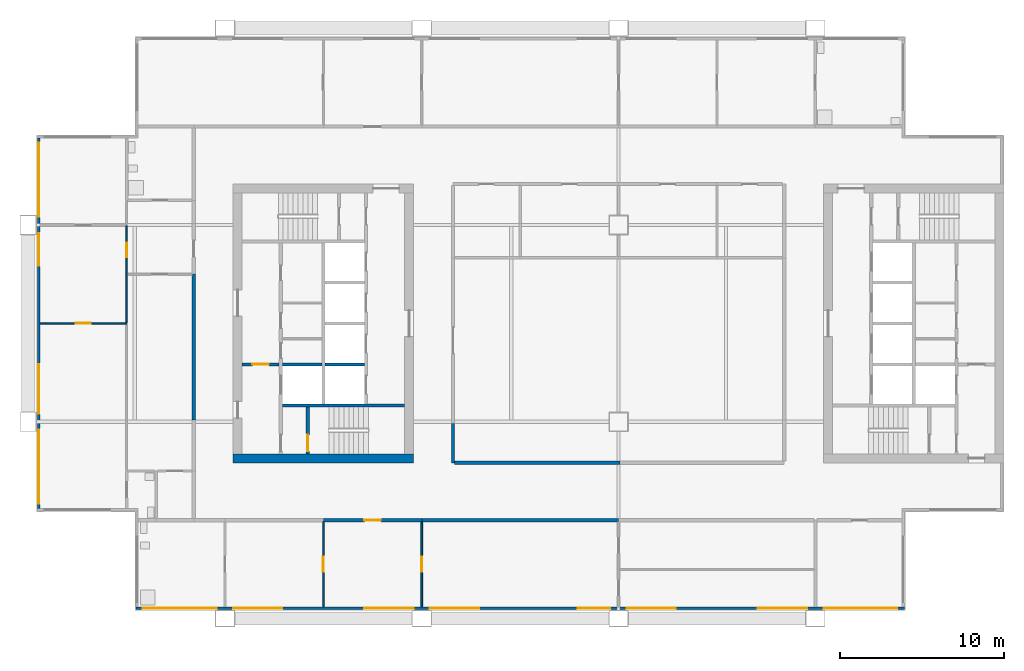
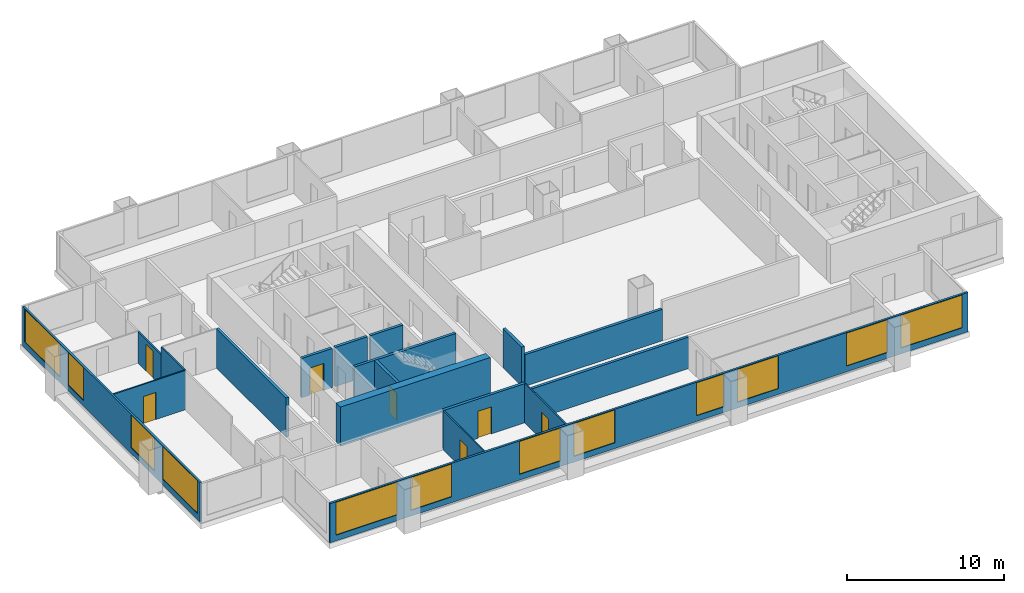
# One storey, part 2 of 8: 18 walls, 12 windows, 7 doors, 19 openings.
"""IFC4 building model written with IfcOpenShell, lengths in metres."""

from ifc_helpers import new_model, si_unit, direction, frame, frame_2d, origin, place, context, subcontext, project, spatial, rectangle, extrude, material, layer, layer_set, type_object, element, fill, save


model = new_model("IFC4")

# Units and contexts
model_context = context("Model", 3, precision=1e-05, world=origin(), true_north=direction((0.0, 1.0)))
body_context = subcontext(model_context, "Body", "Model", "MODEL_VIEW")
ifc_project = project(units=[si_unit("LENGTHUNIT", "METRE"), si_unit("AREAUNIT", "SQUARE_METRE"), si_unit("VOLUMEUNIT", "CUBIC_METRE"), si_unit("PLANEANGLEUNIT", "RADIAN"), si_unit("MASSUNIT", "GRAM", prefix="KILO")], contexts=[model_context])

# Site, building, storey
site_placement = place(None, origin())
site = spatial("IfcSite", under=ifc_project, at=site_placement, CompositionType="ELEMENT")
building_placement = place(site_placement, origin())
building = spatial("IfcBuilding", under=site, at=building_placement, Name="Kitamizu Gate Tower and Museum", CompositionType="ELEMENT")
storey_placement = place(building_placement, frame((0.0, 0.0, 203.10009765625)))
storey = spatial("IfcBuildingStorey", under=building, at=storey_placement, Name="L54", CompositionType="ELEMENT", Elevation=203.10009765625)

# Wall
ifc_material_1 = material(Name="Concrete Fc42", Category="concrete")
ifc_layer_1 = layer(ifc_material_1, 0.550048828125)
ifc_layer_set_1 = layer_set([ifc_layer_1], Name="Concrete Fc42")
wall_type_1 = type_object("IfcWallType", Name="Core wall 550", PredefinedType="SHEAR", material=ifc_layer_set_1)
wall_1_placement = place(storey_placement, frame((12.5, 21.77490234375, 0.0), z_axis=(0.0, 0.0, 1.0), x_axis=(1.0, 0.0, 0.0)))
element("IfcWall", 1, at=wall_1_placement, inside=storey, type_object=wall_type_1, Name="Core wall WS", PredefinedType="SHEAR", context=body_context, shape_type="SweptSolid", body=[
    extrude(rectangle(XDim=11.0, YDim=0.550048828125, at=frame_2d((5.5, 0.0))), origin(), (0.0, 0.0, 1.0), 3.0498046875),
])

# Wall, opening, door
ifc_material_2 = material(Name="Gypsum board on galvanised stud")
ifc_layer_2 = layer(ifc_material_2, 0.10009765625)
ifc_layer_set_2 = layer_set([ifc_layer_2], Name="Gypsum board on galvanised stud")
wall_type_2 = type_object("IfcWallType", Name="Partition 100 NOT RATED", PredefinedType="PARTITIONING", material=ifc_layer_set_2)
wall_2_placement = place(storey_placement, frame((18.0, 12.719970703125, 0.0), z_axis=(0.0, 0.0, 1.0), x_axis=(0.0, 1.0, 0.0)))
wall_2 = element("IfcWall", 2, at=wall_2_placement, inside=storey, type_object=wall_type_2, Name="Partition L54-005", PredefinedType="PARTITIONING", context=body_context, shape_type="SweptSolid", body=[
    extrude(rectangle(XDim=5.179931640625, YDim=0.10009765625, at=frame_2d((2.58984375, 0.0))), origin(), (0.0, 0.0, 1.0), 3.0498046875),
])
opening_1_placement = place(wall_2_placement, frame((2.139892578125, 0.0, 0.0)))
opening_1 = element("IfcOpeningElement", 3, at=opening_1_placement, cuts=wall_2, Name="Opening L54-005", PredefinedType="OPENING", context=body_context, shape_type="SweptSolid", body=[
    extrude(rectangle(XDim=0.89990234375, YDim=2.10009765625, at=frame_2d((0.449951171875, 1.050048828125))), frame((0.0, 0.06005859375, 0.0), z_axis=(0.0, -1.0, 0.0), x_axis=(1.0, 0.0, 0.0)), (0.0, 0.0, 1.0), 0.1201171875),
])
ifc_material_3 = material(Name="Timber door set", Category="wood")
door_type_1 = type_object("IfcDoorType", Name="Room door 900", OperationType="NOTDEFINED", PredefinedType="DOOR", material=ifc_material_3)
door_1_placement = place(opening_1_placement, origin())
door_1 = element("IfcDoor", 4, at=door_1_placement, inside=storey, type_object=door_type_1, Name="Door L54-005", OperationType="SINGLE_SWING_RIGHT", OverallHeight=2.10009765625, OverallWidth=0.89990234375, PredefinedType="DOOR", context=body_context, shape_type="SweptSolid", body=[
    extrude(rectangle(XDim=0.89990234375, YDim=2.10009765625, at=frame_2d((0.449951171875, 1.050048828125))), frame((0.0, 0.02490234375, 0.0), z_axis=(0.0, -1.0, 0.0), x_axis=(1.0, 0.0, 0.0)), (0.0, 0.0, 1.0), 0.050048828125),
])
fill(opening_1, door_1)

wall_3_placement = place(storey_placement, frame((24.0, 12.719970703125, 0.0), z_axis=(0.0, 0.0, 1.0), x_axis=(0.0, 1.0, 0.0)))
wall_3 = element("IfcWall", 5, at=wall_3_placement, inside=storey, type_object=wall_type_2, Name="Partition L54-007", PredefinedType="PARTITIONING", context=body_context, shape_type="SweptSolid", body=[
    extrude(rectangle(XDim=5.179931640625, YDim=0.10009765625, at=frame_2d((2.58984375, 0.0))), origin(), (0.0, 0.0, 1.0), 3.0498046875),
])
opening_2_placement = place(wall_3_placement, frame((2.139892578125, 0.0, 0.0)))
opening_2 = element("IfcOpeningElement", 6, at=opening_2_placement, cuts=wall_3, Name="Opening L54-002", PredefinedType="OPENING", context=body_context, shape_type="SweptSolid", body=[
    extrude(rectangle(XDim=0.89990234375, YDim=2.10009765625, at=frame_2d((0.449951171875, 1.050048828125))), frame((0.0, 0.06005859375, 0.0), z_axis=(0.0, -1.0, 0.0), x_axis=(1.0, 0.0, 0.0)), (0.0, 0.0, 1.0), 0.1201171875),
])
door_2_placement = place(opening_2_placement, frame((0.89990234375, 0.0, 0.0), x_axis=(-1.0, 0.0, 0.0)))
door_2 = element("IfcDoor", 7, at=door_2_placement, inside=storey, type_object=door_type_1, Name="Door L54-002", OperationType="SINGLE_SWING_RIGHT", OverallHeight=2.10009765625, OverallWidth=0.89990234375, PredefinedType="DOOR", context=body_context, shape_type="SweptSolid", body=[
    extrude(rectangle(XDim=0.89990234375, YDim=2.10009765625, at=frame_2d((0.449951171875, 1.050048828125))), frame((0.0, 0.02490234375, 0.0), z_axis=(0.0, -1.0, 0.0), x_axis=(1.0, 0.0, 0.0)), (0.0, 0.0, 1.0), 0.050048828125),
])
fill(opening_2, door_2)

wall_4_placement = place(storey_placement, frame((6.0, 30.0, 0.0), z_axis=(0.0, 0.0, 1.0), x_axis=(-1.0, 0.0, 0.0)))
wall_4 = element("IfcWall", 8, at=wall_4_placement, inside=storey, type_object=wall_type_2, Name="Partition L54-029", PredefinedType="PARTITIONING", context=body_context, shape_type="SweptSolid", body=[
    extrude(rectangle(XDim=5.280029296875, YDim=0.10009765625, at=frame_2d((2.64013671875, 0.0))), origin(), (0.0, 0.0, 1.0), 3.0498046875),
])
opening_3_placement = place(wall_4_placement, frame((2.18994140625, 0.0, 0.0)))
opening_3 = element("IfcOpeningElement", 9, at=opening_3_placement, cuts=wall_4, Name="Opening L54-016", PredefinedType="OPENING", context=body_context, shape_type="SweptSolid", body=[
    extrude(rectangle(XDim=0.89990234375, YDim=2.10009765625, at=frame_2d((0.449951171875, 1.050048828125))), frame((0.0, 0.06005859375, 0.0), z_axis=(0.0, -1.0, 0.0), x_axis=(1.0, 0.0, 0.0)), (0.0, 0.0, 1.0), 0.1201171875),
])
door_3_placement = place(opening_3_placement, frame((0.89990234375, 0.0, 0.0), x_axis=(-1.0, 0.0, 0.0)))
door_3 = element("IfcDoor", 10, at=door_3_placement, inside=storey, type_object=door_type_1, Name="Door L54-016", OperationType="SINGLE_SWING_RIGHT", OverallHeight=2.10009765625, OverallWidth=0.89990234375, PredefinedType="DOOR", context=body_context, shape_type="SweptSolid", body=[
    extrude(rectangle(XDim=0.89990234375, YDim=2.10009765625, at=frame_2d((0.449951171875, 1.050048828125))), frame((0.0, 0.02490234375, 0.0), z_axis=(0.0, -1.0, 0.0), x_axis=(1.0, 0.0, 0.0)), (0.0, 0.0, 1.0), 0.050048828125),
])
fill(opening_3, door_3)

# Wall
wall_5_placement = place(storey_placement, frame((6.0, 30.050048828125, 0.0), z_axis=(0.0, 0.0, 1.0), x_axis=(0.0, 1.0, 0.0)))
element("IfcWall", 11, at=wall_5_placement, inside=storey, type_object=wall_type_2, Name="Partition L54-034", PredefinedType="PARTITIONING", context=body_context, shape_type="SweptSolid", body=[
    extrude(rectangle(XDim=2.949951171875, YDim=0.10009765625, at=frame_2d((1.47509765625, 0.0))), origin(), (0.0, 0.0, 1.0), 3.0498046875),
])

# Wall, opening, door
wall_6_placement = place(storey_placement, frame((6.0, 33.0, 0.0), z_axis=(0.0, 0.0, 1.0), x_axis=(0.0, 1.0, 0.0)))
wall_6 = element("IfcWall", 12, at=wall_6_placement, inside=storey, type_object=wall_type_2, Name="Partition L54-035", PredefinedType="PARTITIONING", context=body_context, shape_type="SweptSolid", body=[
    extrude(rectangle(XDim=2.949951171875, YDim=0.10009765625, at=frame_2d((1.47509765625, 0.0))), origin(), (0.0, 0.0, 1.0), 2.449951171875),
])
opening_4_placement = place(wall_6_placement, frame((1.02490234375, 0.0, 0.0)))
opening_4 = element("IfcOpeningElement", 13, at=opening_4_placement, cuts=wall_6, Name="Opening L54-014", PredefinedType="OPENING", context=body_context, shape_type="SweptSolid", body=[
    extrude(rectangle(XDim=0.89990234375, YDim=2.10009765625, at=frame_2d((0.449951171875, 1.050048828125))), frame((0.0, 0.06005859375, 0.0), z_axis=(0.0, -1.0, 0.0), x_axis=(1.0, 0.0, 0.0)), (0.0, 0.0, 1.0), 0.1201171875),
])
door_4_placement = place(opening_4_placement, origin())
door_4 = element("IfcDoor", 14, at=door_4_placement, inside=storey, type_object=door_type_1, Name="Door L54-014", OperationType="SINGLE_SWING_LEFT", OverallHeight=2.10009765625, OverallWidth=0.89990234375, PredefinedType="DOOR", context=body_context, shape_type="SweptSolid", body=[
    extrude(rectangle(XDim=0.89990234375, YDim=2.10009765625, at=frame_2d((0.449951171875, 1.050048828125))), frame((0.0, 0.02490234375, 0.0), z_axis=(0.0, -1.0, 0.0), x_axis=(1.0, 0.0, 0.0)), (0.0, 0.0, 1.0), 0.050048828125),
])
fill(opening_4, door_4)

ifc_material_4 = material(Name="Gypsum board on galvanised stud")
ifc_layer_3 = layer(ifc_material_4, 0.199951171875)
ifc_layer_set_3 = layer_set([ifc_layer_3], Name="Gypsum board on galvanised stud")
wall_type_3 = type_object("IfcWallType", Name="Partition 200", PredefinedType="PARTITIONING", material=ifc_layer_set_3)
wall_7_placement = place(storey_placement, frame((24.0, 18.0, 0.0), z_axis=(0.0, 0.0, 1.0), x_axis=(-1.0, 0.0, 0.0)))
wall_7 = element("IfcWall", 15, at=wall_7_placement, inside=storey, type_object=wall_type_3, Name="Partition L54-008", PredefinedType="PARTITIONING", context=body_context, shape_type="SweptSolid", body=[
    extrude(rectangle(XDim=6.0, YDim=0.199951171875, at=frame_2d((3.0, 0.0))), origin(), (0.0, 0.0, 1.0), 3.0498046875),
])
opening_5_placement = place(wall_7_placement, frame((2.5, 0.0, 0.0)))
opening_5 = element("IfcOpeningElement", 16, at=opening_5_placement, cuts=wall_7, Name="Opening L54-001", PredefinedType="OPENING", context=body_context, shape_type="SweptSolid", body=[
    extrude(rectangle(XDim=1.0, YDim=2.10009765625, at=frame_2d((0.5, 1.050048828125))), frame((0.0, 0.10986328125, 0.0), z_axis=(0.0, -1.0, 0.0), x_axis=(1.0, 0.0, 0.0)), (0.0, 0.0, 1.0), 0.219970703125),
])
ifc_material_5 = material(Name="Timber door set", Category="wood")
door_type_2 = type_object("IfcDoorType", Name="Flat entrance door 1000", OperationType="NOTDEFINED", PredefinedType="DOOR", material=ifc_material_5)
door_5_placement = place(opening_5_placement, origin())
door_5 = element("IfcDoor", 17, at=door_5_placement, inside=storey, type_object=door_type_2, Name="Flat entrance door L54-001", OperationType="SINGLE_SWING_RIGHT", OverallHeight=2.10009765625, OverallWidth=1.0, PredefinedType="DOOR", context=body_context, shape_type="SweptSolid", body=[
    extrude(rectangle(XDim=1.0, YDim=2.10009765625, at=frame_2d((0.5, 1.050048828125))), frame((0.0, 0.02490234375, 0.0), z_axis=(0.0, -1.0, 0.0), x_axis=(1.0, 0.0, 0.0)), (0.0, 0.0, 1.0), 0.050048828125),
])
fill(opening_5, door_5)

# Walls
wall_8_placement = place(storey_placement, frame((36.0, 18.0, 0.0), z_axis=(0.0, 0.0, 1.0), x_axis=(-1.0, 0.0, 0.0)))
element("IfcWall", 18, at=wall_8_placement, inside=storey, type_object=wall_type_3, Name="Partition L54-011", PredefinedType="PARTITIONING", context=body_context, shape_type="SweptSolid", body=[
    extrude(rectangle(XDim=12.0, YDim=0.199951171875, at=frame_2d((6.0, 0.0))), origin(), (0.0, 0.0, 1.0), 2.449951171875),
])
wall_9_placement = place(storey_placement, frame((10.10009765625, 24.10009765625, 0.0), z_axis=(0.0, 0.0, 1.0), x_axis=(0.0, 1.0, 0.0)))
element("IfcWall", 19, at=wall_9_placement, inside=storey, type_object=wall_type_3, Name="Partition L54-044", PredefinedType="PARTITIONING", context=body_context, shape_type="SweptSolid", body=[
    extrude(rectangle(XDim=8.89990234375, YDim=0.199951171875, at=frame_2d((4.449951171875, 0.0))), origin(), (0.0, 0.0, 1.0), 3.0498046875),
])
wall_10_placement = place(storey_placement, frame((25.89990234375, 23.89990234375, 0.0), z_axis=(0.0, 0.0, 1.0), x_axis=(0.0, -1.0, 0.0)))
element("IfcWall", 20, at=wall_10_placement, inside=storey, type_object=wall_type_3, Name="Partition L54-050", PredefinedType="PARTITIONING", context=body_context, shape_type="SweptSolid", body=[
    extrude(rectangle(XDim=2.39990234375, YDim=0.199951171875, at=frame_2d((1.199951171875, 0.0))), origin(), (0.0, 0.0, 1.0), 3.0498046875),
])
wall_11_placement = place(storey_placement, frame((26.0, 21.5, 0.0), z_axis=(0.0, 0.0, 1.0), x_axis=(1.0, 0.0, 0.0)))
element("IfcWall", 21, at=wall_11_placement, inside=storey, type_object=wall_type_3, Name="Partition L54-051", PredefinedType="PARTITIONING", context=body_context, shape_type="SweptSolid", body=[
    extrude(rectangle(XDim=10.10009765625, YDim=0.199951171875, at=frame_2d((5.050048828125, 0.0))), origin(), (0.0, 0.0, 1.0), 2.449951171875),
])
ifc_material_6 = material(Name="Concrete Fc42", Category="concrete")
ifc_layer_4 = layer(ifc_material_6, 0.199951171875)
ifc_layer_set_4 = layer_set([ifc_layer_4], Name="Concrete Fc42")
wall_type_4 = type_object("IfcWallType", Name="Shaft wall 200", PredefinedType="SOLIDWALL", material=ifc_layer_set_4)
wall_12_placement = place(storey_placement, frame((15.5, 25.0, 0.0), z_axis=(0.0, 0.0, 1.0), x_axis=(1.0, 0.0, 0.0)))
element("IfcWall", 22, at=wall_12_placement, inside=storey, type_object=wall_type_4, Name="Shaft wall WSB", PredefinedType="SOLIDWALL", context=body_context, shape_type="SweptSolid", body=[
    extrude(rectangle(XDim=7.449951171875, YDim=0.199951171875, at=frame_2d((3.72509765625, 0.0))), origin(), (0.0, 0.0, 1.0), 3.0498046875),
])

# Wall, opening, door
wall_13_placement = place(storey_placement, frame((13.050048828125, 27.5, 0.0), z_axis=(0.0, 0.0, 1.0), x_axis=(1.0, 0.0, 0.0)))
wall_13 = element("IfcWall", 23, at=wall_13_placement, inside=storey, type_object=wall_type_4, Name="Shaft wall WFFN", PredefinedType="SOLIDWALL", context=body_context, shape_type="SweptSolid", body=[
    extrude(rectangle(XDim=2.25, YDim=0.199951171875, at=frame_2d((1.125, 0.0))), origin(), (0.0, 0.0, 1.0), 3.0498046875),
])
opening_6_placement = place(wall_13_placement, frame((0.625, 0.0, 0.0)))
opening_6 = element("IfcOpeningElement", 24, at=opening_6_placement, cuts=wall_13, Name="Opening L54-031", PredefinedType="OPENING", context=body_context, shape_type="SweptSolid", body=[
    extrude(rectangle(XDim=1.0, YDim=2.10009765625, at=frame_2d((0.5, 1.050048828125))), frame((0.0, 0.10986328125, 0.0), z_axis=(0.0, -1.0, 0.0), x_axis=(1.0, 0.0, 0.0)), (0.0, 0.0, 1.0), 0.219970703125),
])
ifc_material_7 = material(Name="Hollow metal door set")
door_type_3 = type_object("IfcDoorType", Name="Fire door 1000", OperationType="NOTDEFINED", PredefinedType="DOOR", material=ifc_material_7)
door_6_placement = place(opening_6_placement, frame((1.0, 0.0, 0.0), x_axis=(-1.0, 0.0, 0.0)))
door_6 = element("IfcDoor", 25, at=door_6_placement, inside=storey, type_object=door_type_3, Name="Fire-fighting lobby door L54-031", OperationType="SINGLE_SWING_RIGHT", OverallHeight=2.10009765625, OverallWidth=1.0, PredefinedType="DOOR", context=body_context, shape_type="SweptSolid", body=[
    extrude(rectangle(XDim=1.0, YDim=2.10009765625, at=frame_2d((0.5, 1.050048828125))), frame((0.0, 0.02490234375, 0.0), z_axis=(0.0, -1.0, 0.0), x_axis=(1.0, 0.0, 0.0)), (0.0, 0.0, 1.0), 0.050048828125),
])
fill(opening_6, door_6)

wall_14_placement = place(storey_placement, frame((17.050048828125, 22.050048828125, 0.0), z_axis=(0.0, 0.0, 1.0), x_axis=(0.0, 1.0, 0.0)))
wall_14 = element("IfcWall", 26, at=wall_14_placement, inside=storey, type_object=wall_type_4, Name="Shaft wall WSZ", PredefinedType="SOLIDWALL", context=body_context, shape_type="SweptSolid", body=[
    extrude(rectangle(XDim=2.849853515625, YDim=0.199951171875, at=frame_2d((1.4248046875, 0.0))), origin(), (0.0, 0.0, 1.0), 3.0498046875),
])
opening_7_placement = place(wall_14_placement, frame((0.14990234375, 0.0, 0.0)))
opening_7 = element("IfcOpeningElement", 27, at=opening_7_placement, cuts=wall_14, Name="Opening L54-027", PredefinedType="OPENING", context=body_context, shape_type="SweptSolid", body=[
    extrude(rectangle(XDim=1.0, YDim=2.10009765625, at=frame_2d((0.5, 1.050048828125))), frame((0.0, 0.10986328125, 0.0), z_axis=(0.0, -1.0, 0.0), x_axis=(1.0, 0.0, 0.0)), (0.0, 0.0, 1.0), 0.219970703125),
])
door_7_placement = place(opening_7_placement, frame((1.0, 0.0, 0.0), x_axis=(-1.0, 0.0, 0.0)))
door_7 = element("IfcDoor", 28, at=door_7_placement, inside=storey, type_object=door_type_3, Name="Stair door L54-027", OperationType="SINGLE_SWING_LEFT", OverallHeight=2.10009765625, OverallWidth=1.0, PredefinedType="DOOR", context=body_context, shape_type="SweptSolid", body=[
    extrude(rectangle(XDim=1.0, YDim=2.10009765625, at=frame_2d((0.5, 1.050048828125))), frame((0.0, 0.02490234375, 0.0), z_axis=(0.0, -1.0, 0.0), x_axis=(1.0, 0.0, 0.0)), (0.0, 0.0, 1.0), 0.050048828125),
])
fill(opening_7, door_7)

# Walls
for number, where, z_axis, x_axis, name in (
    (29, (15.5, 27.5, 0.0), (0.0, 0.0, 1.0), (1.0, 0.0, 0.0), "Shaft wall WDVW0"),
    (30, (18.10009765625, 27.5, 0.0), (0.0, 0.0, 1.0), (1.0, 0.0, 0.0), "Shaft wall WDVE0"),
):
    element("IfcWall", number, at=place(storey_placement, frame(where, z_axis=z_axis, x_axis=x_axis)), inside=storey, type_object=wall_type_4, Name=name, PredefinedType="SOLIDWALL", context=body_context, shape_type="SweptSolid", body=[
        extrude(rectangle(XDim=2.39990234375, YDim=0.199951171875, at=frame_2d((1.199951171875, 0.0))), origin(), (0.0, 0.0, 1.0), 3.0498046875),
    ])

# Wall, openings, windows
ifc_material_8 = material(Name="Bronze anodised aluminium frame with insulated spandrel and tinted glass", Category="aluminium")
ifc_layer_5 = layer(ifc_material_8, 0.14990234375)
ifc_layer_set_5 = layer_set([ifc_layer_5], Name="Bronze anodised aluminium frame with insulated spandrel and tinted glass")
wall_type_5 = type_object("IfcWallType", Name="WINDOW WALL 150 BRONZE FRAME EI 30", PredefinedType="ELEMENTEDWALL", material=ifc_layer_set_5)
wall_15_placement = place(storey_placement, frame((6.56005859375, 12.635009765625, 0.0), z_axis=(0.0, 0.0, 1.0), x_axis=(1.0, 0.0, 0.0)))
wall_15 = element("IfcWall", 31, at=wall_15_placement, inside=storey, type_object=wall_type_5, Name="Window wall south L54", PredefinedType="ELEMENTEDWALL", context=body_context, shape_type="SweptSolid", body=[
    extrude(rectangle(XDim=46.8798828125, YDim=0.14990234375, at=frame_2d((23.43994140625, 0.0))), origin(), (0.0, 0.0, 1.0), 3.0498046875),
])
opening_8_placement = place(wall_15_placement, frame((0.43994140625, 0.0, 0.449951171875)))
opening_8 = element("IfcOpeningElement", 32, at=opening_8_placement, cuts=wall_15, Name="Opening W15", PredefinedType="OPENING", context=body_context, shape_type="SweptSolid", body=[
    extrude(rectangle(XDim=4.5, YDim=2.550048828125, at=frame_2d((2.25, 1.27490234375))), frame((0.0, 0.0849609375, 0.0), z_axis=(0.0, -1.0, 0.0), x_axis=(1.0, 0.0, 0.0)), (0.0, 0.0, 1.0), 0.169921875),
])
opening_9_placement = place(wall_15_placement, frame((5.93994140625, 0.0, 0.449951171875)))
opening_9 = element("IfcOpeningElement", 33, at=opening_9_placement, cuts=wall_15, Name="Opening W33", PredefinedType="OPENING", context=body_context, shape_type="SweptSolid", body=[
    extrude(rectangle(XDim=3.0, YDim=2.550048828125, at=frame_2d((1.5, 1.27490234375))), frame((0.0, 0.0849609375, 0.0), z_axis=(0.0, -1.0, 0.0), x_axis=(1.0, 0.0, 0.0)), (0.0, 0.0, 1.0), 0.169921875),
])
opening_10_placement = place(wall_15_placement, frame((13.93994140625, 0.0, 0.449951171875)))
opening_10 = element("IfcOpeningElement", 34, at=opening_10_placement, cuts=wall_15, Name="Opening W33", PredefinedType="OPENING", context=body_context, shape_type="SweptSolid", body=[
    extrude(rectangle(XDim=3.0, YDim=2.550048828125, at=frame_2d((1.5, 1.27490234375))), frame((0.0, 0.0849609375, 0.0), z_axis=(0.0, -1.0, 0.0), x_axis=(1.0, 0.0, 0.0)), (0.0, 0.0, 1.0), 0.169921875),
])
opening_11_placement = place(wall_15_placement, frame((17.93994140625, 0.0, 0.449951171875)))
opening_11 = element("IfcOpeningElement", 35, at=opening_11_placement, cuts=wall_15, Name="Opening W33", PredefinedType="OPENING", context=body_context, shape_type="SweptSolid", body=[
    extrude(rectangle(XDim=3.0, YDim=2.550048828125, at=frame_2d((1.5, 1.27490234375))), frame((0.0, 0.0849609375, 0.0), z_axis=(0.0, -1.0, 0.0), x_axis=(1.0, 0.0, 0.0)), (0.0, 0.0, 1.0), 0.169921875),
])
opening_12_placement = place(wall_15_placement, frame((26.93994140625, 0.0, 0.449951171875)))
opening_12 = element("IfcOpeningElement", 36, at=opening_12_placement, cuts=wall_15, Name="Opening W2", PredefinedType="OPENING", context=body_context, shape_type="SweptSolid", body=[
    extrude(rectangle(XDim=2.0, YDim=2.550048828125, at=frame_2d((1.0, 1.27490234375))), frame((0.0, 0.0849609375, 0.0), z_axis=(0.0, -1.0, 0.0), x_axis=(1.0, 0.0, 0.0)), (0.0, 0.0, 1.0), 0.169921875),
])
opening_13_placement = place(wall_15_placement, frame((29.93994140625, 0.0, 0.449951171875)))
opening_13 = element("IfcOpeningElement", 37, at=opening_13_placement, cuts=wall_15, Name="Opening W33", PredefinedType="OPENING", context=body_context, shape_type="SweptSolid", body=[
    extrude(rectangle(XDim=3.0, YDim=2.550048828125, at=frame_2d((1.5, 1.27490234375))), frame((0.0, 0.0849609375, 0.0), z_axis=(0.0, -1.0, 0.0), x_axis=(1.0, 0.0, 0.0)), (0.0, 0.0, 1.0), 0.169921875),
])
opening_14_placement = place(wall_15_placement, frame((37.93994140625, 0.0, 0.449951171875)))
opening_14 = element("IfcOpeningElement", 38, at=opening_14_placement, cuts=wall_15, Name="Opening W33", PredefinedType="OPENING", context=body_context, shape_type="SweptSolid", body=[
    extrude(rectangle(XDim=3.0, YDim=2.550048828125, at=frame_2d((1.5, 1.27490234375))), frame((0.0, 0.0849609375, 0.0), z_axis=(0.0, -1.0, 0.0), x_axis=(1.0, 0.0, 0.0)), (0.0, 0.0, 1.0), 0.169921875),
])
opening_15_placement = place(wall_15_placement, frame((41.93994140625, 0.0, 0.449951171875)))
opening_15 = element("IfcOpeningElement", 39, at=opening_15_placement, cuts=wall_15, Name="Opening W15", PredefinedType="OPENING", context=body_context, shape_type="SweptSolid", body=[
    extrude(rectangle(XDim=4.5, YDim=2.550048828125, at=frame_2d((2.25, 1.27490234375))), frame((0.0, 0.0849609375, 0.0), z_axis=(0.0, -1.0, 0.0), x_axis=(1.0, 0.0, 0.0)), (0.0, 0.0, 1.0), 0.169921875),
])
ifc_material_9 = material(Name="Bronze anodised aluminium frame, tinted triple glazing", Category="aluminium")
window_type_1 = type_object("IfcWindowType", Name="WINDOW 2000 x 2550 SILL 450", PartitioningType="SINGLE_PANEL", PredefinedType="WINDOW", material=ifc_material_9)
window_1_placement = place(opening_12_placement, origin())
window_1 = element("IfcWindow", 40, at=window_1_placement, inside=storey, type_object=window_type_1, Name="Window W2 L54", OverallHeight=2.550048828125, OverallWidth=2.0, PartitioningType="SINGLE_PANEL", PredefinedType="WINDOW", context=body_context, shape_type="SweptSolid", body=[
    extrude(rectangle(XDim=2.0, YDim=2.550048828125, at=frame_2d((1.0, 1.27490234375))), frame((0.0, 0.030029296875, 0.0), z_axis=(0.0, -1.0, 0.0), x_axis=(1.0, 0.0, 0.0)), (0.0, 0.0, 1.0), 0.06005859375),
])
fill(opening_12, window_1)
ifc_material_10 = material(Name="Bronze anodised aluminium frame, tinted triple glazing", Category="aluminium")
window_type_2 = type_object("IfcWindowType", Name="WINDOW 3000 x 2550 SILL 450", PartitioningType="SINGLE_PANEL", PredefinedType="WINDOW", material=ifc_material_10)
window_2_placement = place(opening_9_placement, origin())
window_2 = element("IfcWindow", 41, at=window_2_placement, inside=storey, type_object=window_type_2, Name="Window W33 L54", OverallHeight=2.550048828125, OverallWidth=3.0, PartitioningType="SINGLE_PANEL", PredefinedType="WINDOW", context=body_context, shape_type="SweptSolid", body=[
    extrude(rectangle(XDim=3.0, YDim=2.550048828125, at=frame_2d((1.5, 1.27490234375))), frame((0.0, 0.030029296875, 0.0), z_axis=(0.0, -1.0, 0.0), x_axis=(1.0, 0.0, 0.0)), (0.0, 0.0, 1.0), 0.06005859375),
])
fill(opening_9, window_2)
window_3_placement = place(opening_10_placement, origin())
window_3 = element("IfcWindow", 42, at=window_3_placement, inside=storey, type_object=window_type_2, Name="Window W33 L54", OverallHeight=2.550048828125, OverallWidth=3.0, PartitioningType="SINGLE_PANEL", PredefinedType="WINDOW", context=body_context, shape_type="SweptSolid", body=[
    extrude(rectangle(XDim=3.0, YDim=2.550048828125, at=frame_2d((1.5, 1.27490234375))), frame((0.0, 0.030029296875, 0.0), z_axis=(0.0, -1.0, 0.0), x_axis=(1.0, 0.0, 0.0)), (0.0, 0.0, 1.0), 0.06005859375),
])
fill(opening_10, window_3)
window_4_placement = place(opening_11_placement, origin())
window_4 = element("IfcWindow", 43, at=window_4_placement, inside=storey, type_object=window_type_2, Name="Window W33 L54", OverallHeight=2.550048828125, OverallWidth=3.0, PartitioningType="SINGLE_PANEL", PredefinedType="WINDOW", context=body_context, shape_type="SweptSolid", body=[
    extrude(rectangle(XDim=3.0, YDim=2.550048828125, at=frame_2d((1.5, 1.27490234375))), frame((0.0, 0.030029296875, 0.0), z_axis=(0.0, -1.0, 0.0), x_axis=(1.0, 0.0, 0.0)), (0.0, 0.0, 1.0), 0.06005859375),
])
fill(opening_11, window_4)
window_5_placement = place(opening_13_placement, origin())
window_5 = element("IfcWindow", 44, at=window_5_placement, inside=storey, type_object=window_type_2, Name="Window W33 L54", OverallHeight=2.550048828125, OverallWidth=3.0, PartitioningType="SINGLE_PANEL", PredefinedType="WINDOW", context=body_context, shape_type="SweptSolid", body=[
    extrude(rectangle(XDim=3.0, YDim=2.550048828125, at=frame_2d((1.5, 1.27490234375))), frame((0.0, 0.030029296875, 0.0), z_axis=(0.0, -1.0, 0.0), x_axis=(1.0, 0.0, 0.0)), (0.0, 0.0, 1.0), 0.06005859375),
])
fill(opening_13, window_5)
window_6_placement = place(opening_14_placement, origin())
window_6 = element("IfcWindow", 45, at=window_6_placement, inside=storey, type_object=window_type_2, Name="Window W33 L54", OverallHeight=2.550048828125, OverallWidth=3.0, PartitioningType="SINGLE_PANEL", PredefinedType="WINDOW", context=body_context, shape_type="SweptSolid", body=[
    extrude(rectangle(XDim=3.0, YDim=2.550048828125, at=frame_2d((1.5, 1.27490234375))), frame((0.0, 0.030029296875, 0.0), z_axis=(0.0, -1.0, 0.0), x_axis=(1.0, 0.0, 0.0)), (0.0, 0.0, 1.0), 0.06005859375),
])
fill(opening_14, window_6)
ifc_material_11 = material(Name="Bronze anodised aluminium frame, tinted triple glazing", Category="aluminium")
window_type_3 = type_object("IfcWindowType", Name="WINDOW 4500 x 2550 SILL 450", PartitioningType="SINGLE_PANEL", PredefinedType="WINDOW", material=ifc_material_11)
window_7_placement = place(opening_8_placement, origin())
window_7 = element("IfcWindow", 46, at=window_7_placement, inside=storey, type_object=window_type_3, Name="Window W15 L54", OverallHeight=2.550048828125, OverallWidth=4.5, PartitioningType="SINGLE_PANEL", PredefinedType="WINDOW", context=body_context, shape_type="SweptSolid", body=[
    extrude(rectangle(XDim=4.5, YDim=2.550048828125, at=frame_2d((2.25, 1.27490234375))), frame((0.0, 0.030029296875, 0.0), z_axis=(0.0, -1.0, 0.0), x_axis=(1.0, 0.0, 0.0)), (0.0, 0.0, 1.0), 0.06005859375),
])
fill(opening_8, window_7)
window_8_placement = place(opening_15_placement, origin())
window_8 = element("IfcWindow", 47, at=window_8_placement, inside=storey, type_object=window_type_3, Name="Window W15 L54", OverallHeight=2.550048828125, OverallWidth=4.5, PartitioningType="SINGLE_PANEL", PredefinedType="WINDOW", context=body_context, shape_type="SweptSolid", body=[
    extrude(rectangle(XDim=4.5, YDim=2.550048828125, at=frame_2d((2.25, 1.27490234375))), frame((0.0, 0.030029296875, 0.0), z_axis=(0.0, -1.0, 0.0), x_axis=(1.0, 0.0, 0.0)), (0.0, 0.0, 1.0), 0.06005859375),
])
fill(opening_15, window_8)

wall_16_placement = place(storey_placement, frame((0.635009765625, 18.7099609375, 0.0), z_axis=(0.0, 0.0, 1.0), x_axis=(0.0, 1.0, 0.0)))
wall_16 = element("IfcWall", 48, at=wall_16_placement, inside=storey, type_object=wall_type_5, Name="Window wall west L54", PredefinedType="ELEMENTEDWALL", context=body_context, shape_type="SweptSolid", body=[
    extrude(rectangle(XDim=22.580078125, YDim=0.14990234375, at=frame_2d((11.2900390625, 0.0))), origin(), (0.0, 0.0, 1.0), 3.0498046875),
])
opening_16_placement = place(wall_16_placement, frame((0.2900390625, 0.0, 0.449951171875)))
opening_16 = element("IfcOpeningElement", 49, at=opening_16_placement, cuts=wall_16, Name="Opening W15", PredefinedType="OPENING", context=body_context, shape_type="SweptSolid", body=[
    extrude(rectangle(XDim=4.5, YDim=2.550048828125, at=frame_2d((2.25, 1.27490234375))), frame((0.0, 0.0849609375, 0.0), z_axis=(0.0, -1.0, 0.0), x_axis=(1.0, 0.0, 0.0)), (0.0, 0.0, 1.0), 0.169921875),
])
opening_17_placement = place(wall_16_placement, frame((5.7900390625, 0.0, 0.449951171875)))
opening_17 = element("IfcOpeningElement", 50, at=opening_17_placement, cuts=wall_16, Name="Opening W33", PredefinedType="OPENING", context=body_context, shape_type="SweptSolid", body=[
    extrude(rectangle(XDim=3.0, YDim=2.550048828125, at=frame_2d((1.5, 1.27490234375))), frame((0.0, 0.0849609375, 0.0), z_axis=(0.0, -1.0, 0.0), x_axis=(1.0, 0.0, 0.0)), (0.0, 0.0, 1.0), 0.169921875),
])
opening_18_placement = place(wall_16_placement, frame((14.7900390625, 0.0, 0.449951171875)))
opening_18 = element("IfcOpeningElement", 51, at=opening_18_placement, cuts=wall_16, Name="Opening W2", PredefinedType="OPENING", context=body_context, shape_type="SweptSolid", body=[
    extrude(rectangle(XDim=2.0, YDim=2.550048828125, at=frame_2d((1.0, 1.27490234375))), frame((0.0, 0.0849609375, 0.0), z_axis=(0.0, -1.0, 0.0), x_axis=(1.0, 0.0, 0.0)), (0.0, 0.0, 1.0), 0.169921875),
])
opening_19_placement = place(wall_16_placement, frame((17.7900390625, 0.0, 0.449951171875)))
opening_19 = element("IfcOpeningElement", 52, at=opening_19_placement, cuts=wall_16, Name="Opening W15", PredefinedType="OPENING", context=body_context, shape_type="SweptSolid", body=[
    extrude(rectangle(XDim=4.5, YDim=2.550048828125, at=frame_2d((2.25, 1.27490234375))), frame((0.0, 0.0849609375, 0.0), z_axis=(0.0, -1.0, 0.0), x_axis=(1.0, 0.0, 0.0)), (0.0, 0.0, 1.0), 0.169921875),
])
window_9_placement = place(opening_18_placement, origin())
window_9 = element("IfcWindow", 53, at=window_9_placement, inside=storey, type_object=window_type_1, Name="Window W2 L54", OverallHeight=2.550048828125, OverallWidth=2.0, PartitioningType="SINGLE_PANEL", PredefinedType="WINDOW", context=body_context, shape_type="SweptSolid", body=[
    extrude(rectangle(XDim=2.0, YDim=2.550048828125, at=frame_2d((1.0, 1.27490234375))), frame((0.0, 0.030029296875, 0.0), z_axis=(0.0, -1.0, 0.0), x_axis=(1.0, 0.0, 0.0)), (0.0, 0.0, 1.0), 0.06005859375),
])
fill(opening_18, window_9)
window_10_placement = place(opening_17_placement, origin())
window_10 = element("IfcWindow", 54, at=window_10_placement, inside=storey, type_object=window_type_2, Name="Window W33 L54", OverallHeight=2.550048828125, OverallWidth=3.0, PartitioningType="SINGLE_PANEL", PredefinedType="WINDOW", context=body_context, shape_type="SweptSolid", body=[
    extrude(rectangle(XDim=3.0, YDim=2.550048828125, at=frame_2d((1.5, 1.27490234375))), frame((0.0, 0.030029296875, 0.0), z_axis=(0.0, -1.0, 0.0), x_axis=(1.0, 0.0, 0.0)), (0.0, 0.0, 1.0), 0.06005859375),
])
fill(opening_17, window_10)
window_11_placement = place(opening_16_placement, origin())
window_11 = element("IfcWindow", 55, at=window_11_placement, inside=storey, type_object=window_type_3, Name="Window W15 L54", OverallHeight=2.550048828125, OverallWidth=4.5, PartitioningType="SINGLE_PANEL", PredefinedType="WINDOW", context=body_context, shape_type="SweptSolid", body=[
    extrude(rectangle(XDim=4.5, YDim=2.550048828125, at=frame_2d((2.25, 1.27490234375))), frame((0.0, 0.030029296875, 0.0), z_axis=(0.0, -1.0, 0.0), x_axis=(1.0, 0.0, 0.0)), (0.0, 0.0, 1.0), 0.06005859375),
])
fill(opening_16, window_11)
window_12_placement = place(opening_19_placement, origin())
window_12 = element("IfcWindow", 56, at=window_12_placement, inside=storey, type_object=window_type_3, Name="Window W15 L54", OverallHeight=2.550048828125, OverallWidth=4.5, PartitioningType="SINGLE_PANEL", PredefinedType="WINDOW", context=body_context, shape_type="SweptSolid", body=[
    extrude(rectangle(XDim=4.5, YDim=2.550048828125, at=frame_2d((2.25, 1.27490234375))), frame((0.0, 0.030029296875, 0.0), z_axis=(0.0, -1.0, 0.0), x_axis=(1.0, 0.0, 0.0)), (0.0, 0.0, 1.0), 0.06005859375),
])
fill(opening_19, window_12)

save(model, "model.ifc")
